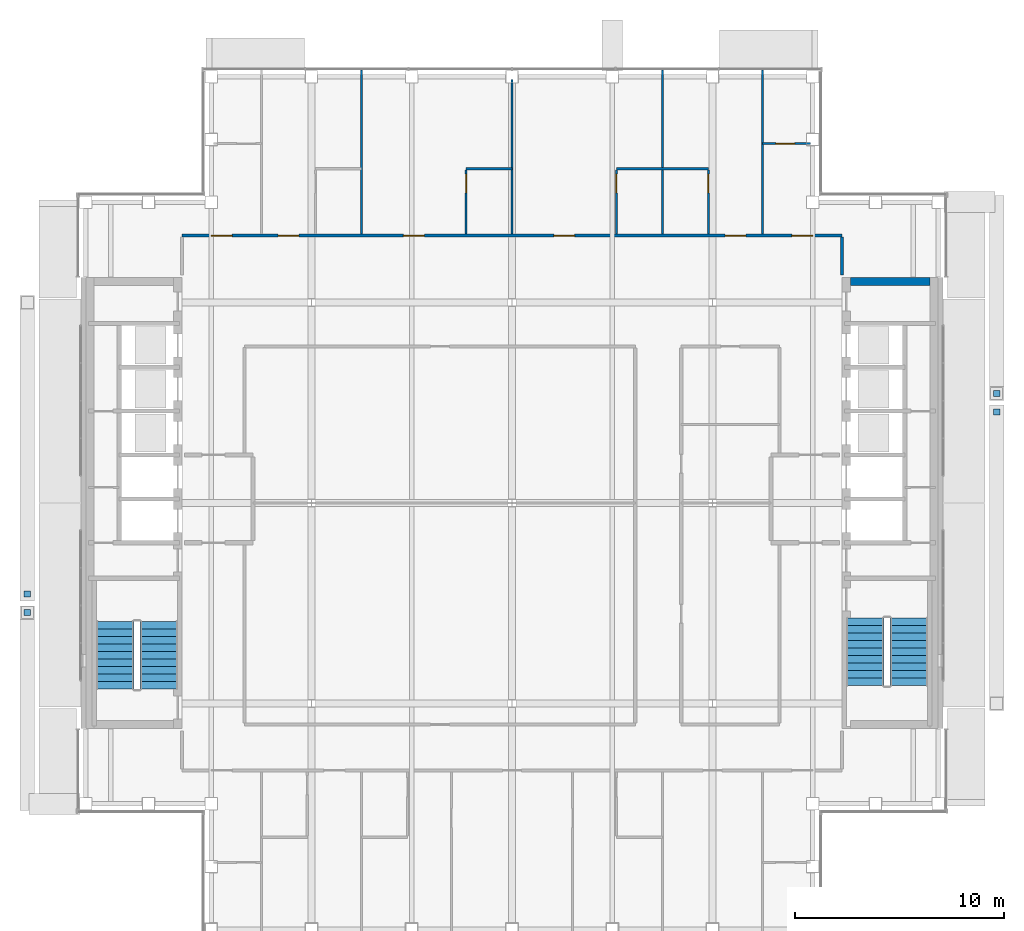
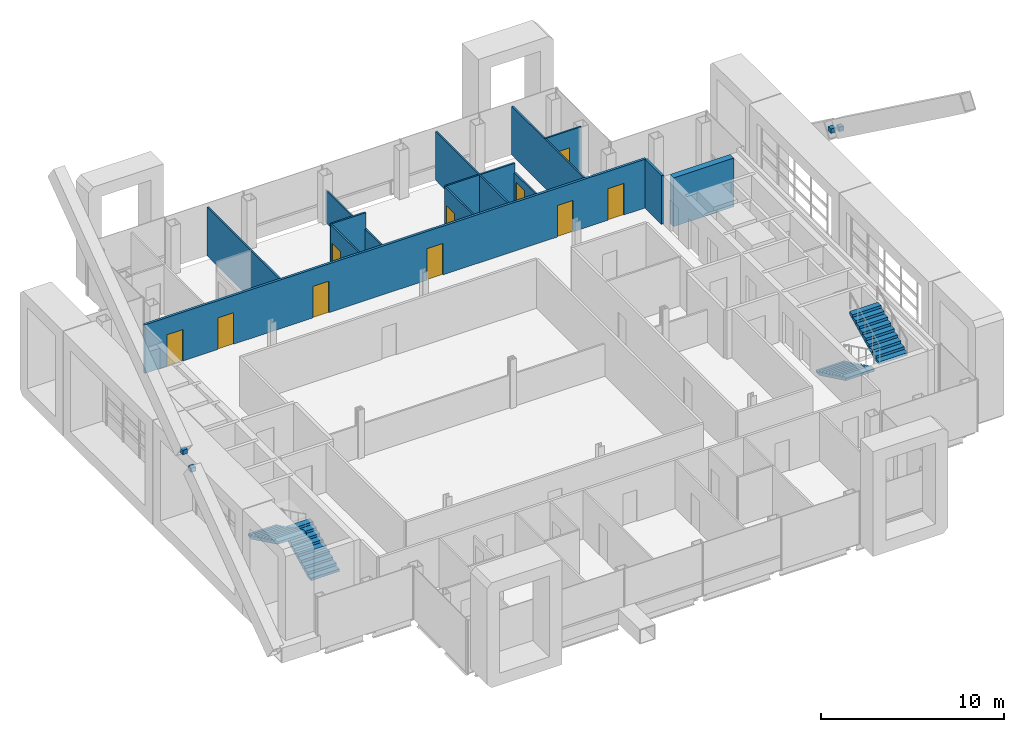
# One storey, part 15 of 23: 14 walls, 10 doors, 4 discrete accessories, 4 stair flights, 10 openings, 2 elements without a shape of their own.
"""IFC4 building model written with IfcOpenShell, lengths in metres."""

from ifc_helpers import new_model, si_unit, direction, frame, frame_2d, origin, origin_2d, place, context, subcontext, project, spatial, polyline, rectangle, outline, extrude, material, layer, layer_set, type_object, element, fill, aggregate, save


model = new_model("IFC4")

# Units and contexts
model_context = context("Model", 3, precision=1e-05, world=origin(), true_north=direction((0.0, 1.0)))
body_context = subcontext(model_context, "Body", "Model", "MODEL_VIEW")
ifc_project = project(units=[si_unit("LENGTHUNIT", "METRE"), si_unit("AREAUNIT", "SQUARE_METRE"), si_unit("VOLUMEUNIT", "CUBIC_METRE"), si_unit("PLANEANGLEUNIT", "RADIAN"), si_unit("MASSUNIT", "GRAM", prefix="KILO")], contexts=[model_context])

# Site, building, storey
site_placement = place(None, origin())
site = spatial("IfcSite", under=ifc_project, at=site_placement, CompositionType="ELEMENT")
building_placement = place(site_placement, origin())
building = spatial("IfcBuilding", under=site, at=building_placement, Name="Cobrizo Arcos Hotel Tower", CompositionType="ELEMENT")
storey_placement = place(building_placement, frame((0.0, 0.0, 262.0)))
storey = spatial("IfcBuildingStorey", under=building, at=storey_placement, Name="L69", CompositionType="ELEMENT", Elevation=262.0)

# Wall, openings, doors
ifc_material_1 = material(Name="Gypsum board partition")
ifc_layer_1 = layer(ifc_material_1, 0.14990234375)
ifc_layer_set_1 = layer_set([ifc_layer_1], Name="Corridor wall EI 60 150")
wall_type_1 = type_object("IfcWallType", Name="Corridor wall EI 60 150", PredefinedType="PARTITIONING", material=ifc_layer_set_1)
wall_1_placement = place(storey_placement, frame((-15.800048828125, 12.800048828125, 0.0), z_axis=(0.0, 0.0, 1.0), x_axis=(1.0, 0.0, 0.0)))
wall_1 = element("IfcWall", 1, at=wall_1_placement, inside=storey, type_object=wall_type_1, Name="Partition 040", PredefinedType="PARTITIONING", context=body_context, shape_type="SweptSolid", body=[
    extrude(rectangle(XDim=31.60009765625, YDim=0.14990234375, at=frame_2d((15.800048828125, 0.0))), origin(), (0.0, 0.0, 1.0), 3.25),
])
opening_1_placement = place(wall_1_placement, frame((4.60009765625, 0.0, 0.0)))
opening_1 = element("IfcOpeningElement", 2, at=opening_1_placement, cuts=wall_1, Name="Opening GD-01", PredefinedType="OPENING", context=body_context, shape_type="SweptSolid", body=[
    extrude(rectangle(XDim=1.0, YDim=2.10009765625, at=frame_2d((0.5, 1.050048828125))), frame((0.0, 0.0869140625, 0.0), z_axis=(0.0, -1.0, 0.0), x_axis=(1.0, 0.0, 0.0)), (0.0, 0.0, 1.0), 0.173828125),
])
opening_2_placement = place(wall_1_placement, frame((10.60009765625, 0.0, 0.0)))
opening_2 = element("IfcOpeningElement", 3, at=opening_2_placement, cuts=wall_1, Name="Opening GD-02", PredefinedType="OPENING", context=body_context, shape_type="SweptSolid", body=[
    extrude(rectangle(XDim=1.0, YDim=2.10009765625, at=frame_2d((0.5, 1.050048828125))), frame((0.0, 0.0869140625, 0.0), z_axis=(0.0, -1.0, 0.0), x_axis=(1.0, 0.0, 0.0)), (0.0, 0.0, 1.0), 0.173828125),
])
opening_3_placement = place(wall_1_placement, frame((17.800048828125, 0.0, 0.0)))
opening_3 = element("IfcOpeningElement", 4, at=opening_3_placement, cuts=wall_1, Name="Opening GD-03", PredefinedType="OPENING", context=body_context, shape_type="SweptSolid", body=[
    extrude(rectangle(XDim=1.0, YDim=2.10009765625, at=frame_2d((0.5, 1.050048828125))), frame((0.0, 0.0869140625, 0.0), z_axis=(0.0, -1.0, 0.0), x_axis=(1.0, 0.0, 0.0)), (0.0, 0.0, 1.0), 0.173828125),
])
opening_4_placement = place(wall_1_placement, frame((26.0, 0.0, 0.0)))
opening_4 = element("IfcOpeningElement", 5, at=opening_4_placement, cuts=wall_1, Name="Opening GD-04", PredefinedType="OPENING", context=body_context, shape_type="SweptSolid", body=[
    extrude(rectangle(XDim=1.0, YDim=2.10009765625, at=frame_2d((0.5, 1.050048828125))), frame((0.0, 0.0869140625, 0.0), z_axis=(0.0, -1.0, 0.0), x_axis=(1.0, 0.0, 0.0)), (0.0, 0.0, 1.0), 0.173828125),
])
opening_5_placement = place(wall_1_placement, frame((1.39990234375, 0.0, 0.0)))
opening_5 = element("IfcOpeningElement", 6, at=opening_5_placement, cuts=wall_1, Name="Opening GD-07", PredefinedType="OPENING", context=body_context, shape_type="SweptSolid", body=[
    extrude(rectangle(XDim=1.0, YDim=2.10009765625, at=frame_2d((0.5, 1.050048828125))), frame((0.0, 0.0869140625, 0.0), z_axis=(0.0, -1.0, 0.0), x_axis=(1.0, 0.0, 0.0)), (0.0, 0.0, 1.0), 0.173828125),
])
opening_6_placement = place(wall_1_placement, frame((29.199951171875, 0.0, 0.0)))
opening_6 = element("IfcOpeningElement", 7, at=opening_6_placement, cuts=wall_1, Name="Opening GD-09", PredefinedType="OPENING", context=body_context, shape_type="SweptSolid", body=[
    extrude(rectangle(XDim=1.0, YDim=2.10009765625, at=frame_2d((0.5, 1.050048828125))), frame((0.0, 0.0869140625, 0.0), z_axis=(0.0, -1.0, 0.0), x_axis=(1.0, 0.0, 0.0)), (0.0, 0.0, 1.0), 0.173828125),
])
ifc_material_2 = material(Name="Timber door leaf", Category="wood")
door_type_1 = type_object("IfcDoorType", Name="Guest room door FD30S 1000x2100", OperationType="SINGLE_SWING_LEFT", PredefinedType="DOOR", material=ifc_material_2)
door_1_placement = place(opening_1_placement, origin())
door_1 = element("IfcDoor", 8, at=door_1_placement, inside=storey, type_object=door_type_1, Name="Door GD-01", OperationType="SINGLE_SWING_RIGHT", OverallHeight=2.10009765625, OverallWidth=1.0, PredefinedType="DOOR", context=body_context, shape_type="SweptSolid", body=[
    extrude(rectangle(XDim=1.0, YDim=2.10009765625, at=frame_2d((0.5, 1.050048828125))), frame((0.0, 0.02490234375, 0.0), z_axis=(0.0, -1.0, 0.0), x_axis=(1.0, 0.0, 0.0)), (0.0, 0.0, 1.0), 0.050048828125),
])
fill(opening_1, door_1)
door_2_placement = place(opening_2_placement, origin())
door_2 = element("IfcDoor", 9, at=door_2_placement, inside=storey, type_object=door_type_1, Name="Door GD-02", OperationType="SINGLE_SWING_RIGHT", OverallHeight=2.10009765625, OverallWidth=1.0, PredefinedType="DOOR", context=body_context, shape_type="SweptSolid", body=[
    extrude(rectangle(XDim=1.0, YDim=2.10009765625, at=frame_2d((0.5, 1.050048828125))), frame((0.0, 0.02490234375, 0.0), z_axis=(0.0, -1.0, 0.0), x_axis=(1.0, 0.0, 0.0)), (0.0, 0.0, 1.0), 0.050048828125),
])
fill(opening_2, door_2)
door_3_placement = place(opening_3_placement, origin())
door_3 = element("IfcDoor", 10, at=door_3_placement, inside=storey, type_object=door_type_1, Name="Door GD-03", OperationType="SINGLE_SWING_LEFT", OverallHeight=2.10009765625, OverallWidth=1.0, PredefinedType="DOOR", context=body_context, shape_type="SweptSolid", body=[
    extrude(rectangle(XDim=1.0, YDim=2.10009765625, at=frame_2d((0.5, 1.050048828125))), frame((0.0, 0.02490234375, 0.0), z_axis=(0.0, -1.0, 0.0), x_axis=(1.0, 0.0, 0.0)), (0.0, 0.0, 1.0), 0.050048828125),
])
fill(opening_3, door_3)
door_4_placement = place(opening_4_placement, origin())
door_4 = element("IfcDoor", 11, at=door_4_placement, inside=storey, type_object=door_type_1, Name="Door GD-04", OperationType="SINGLE_SWING_LEFT", OverallHeight=2.10009765625, OverallWidth=1.0, PredefinedType="DOOR", context=body_context, shape_type="SweptSolid", body=[
    extrude(rectangle(XDim=1.0, YDim=2.10009765625, at=frame_2d((0.5, 1.050048828125))), frame((0.0, 0.02490234375, 0.0), z_axis=(0.0, -1.0, 0.0), x_axis=(1.0, 0.0, 0.0)), (0.0, 0.0, 1.0), 0.050048828125),
])
fill(opening_4, door_4)
door_5_placement = place(opening_5_placement, origin())
door_5 = element("IfcDoor", 12, at=door_5_placement, inside=storey, type_object=door_type_1, Name="Door GD-07", OperationType="SINGLE_SWING_RIGHT", OverallHeight=2.10009765625, OverallWidth=1.0, PredefinedType="DOOR", context=body_context, shape_type="SweptSolid", body=[
    extrude(rectangle(XDim=1.0, YDim=2.10009765625, at=frame_2d((0.5, 1.050048828125))), frame((0.0, 0.02490234375, 0.0), z_axis=(0.0, -1.0, 0.0), x_axis=(1.0, 0.0, 0.0)), (0.0, 0.0, 1.0), 0.050048828125),
])
fill(opening_5, door_5)
door_6_placement = place(opening_6_placement, origin())
door_6 = element("IfcDoor", 13, at=door_6_placement, inside=storey, type_object=door_type_1, Name="Door GD-09", OperationType="SINGLE_SWING_LEFT", OverallHeight=2.10009765625, OverallWidth=1.0, PredefinedType="DOOR", context=body_context, shape_type="SweptSolid", body=[
    extrude(rectangle(XDim=1.0, YDim=2.10009765625, at=frame_2d((0.5, 1.050048828125))), frame((0.0, 0.02490234375, 0.0), z_axis=(0.0, -1.0, 0.0), x_axis=(1.0, 0.0, 0.0)), (0.0, 0.0, 1.0), 0.050048828125),
])
fill(opening_6, door_6)

# Walls
wall_2_placement = place(storey_placement, frame((15.800048828125, 10.919921875, 0.0), z_axis=(0.0, 0.0, 1.0), x_axis=(0.0, 1.0, 0.0)))
element("IfcWall", 14, at=wall_2_placement, inside=storey, type_object=wall_type_1, Name="Partition 079", PredefinedType="PARTITIONING", context=body_context, shape_type="SweptSolid", body=[
    extrude(rectangle(XDim=1.80517578125, YDim=0.14990234375, at=frame_2d((0.902587890625, 0.0))), origin(), (0.0, 0.0, 1.0), 3.25),
])
ifc_layer_2 = layer(ifc_material_1, 0.10009765625)
ifc_layer_set_2 = layer_set([ifc_layer_2], Name="Partition EI 30 100")
wall_type_2 = type_object("IfcWallType", Name="Partition EI 30 100", PredefinedType="PARTITIONING", material=ifc_layer_set_2)
wall_3_placement = place(storey_placement, frame((-2.199951171875, 16.0, 0.0), z_axis=(0.0, 0.0, 1.0), x_axis=(1.0, 0.0, 0.0)))
element("IfcWall", 15, at=wall_3_placement, inside=storey, type_object=wall_type_2, Name="Partition 042", PredefinedType="PARTITIONING", context=body_context, shape_type="SweptSolid", body=[
    extrude(rectangle(XDim=2.199951171875, YDim=0.10009765625, at=frame_2d((1.10009765625, 0.0))), origin(), (0.0, 0.0, 1.0), 3.25),
])
wall_4_placement = place(storey_placement, frame((5.0, 16.0, 0.0), z_axis=(0.0, 0.0, 1.0), x_axis=(1.0, 0.0, 0.0)))
element("IfcWall", 16, at=wall_4_placement, inside=storey, type_object=wall_type_2, Name="Partition 043", PredefinedType="PARTITIONING", context=body_context, shape_type="SweptSolid", body=[
    extrude(rectangle(XDim=4.39990234375, YDim=0.10009765625, at=frame_2d((2.199951171875, 0.0))), origin(), (0.0, 0.0, 1.0), 3.25),
])

# Wall, opening, door
wall_5_placement = place(storey_placement, frame((12.0, 17.199951171875, 0.0), z_axis=(0.0, 0.0, 1.0), x_axis=(1.0, 0.0, 0.0)))
wall_5 = element("IfcWall", 17, at=wall_5_placement, inside=storey, type_object=wall_type_2, Name="Partition 045", PredefinedType="PARTITIONING", context=body_context, shape_type="SweptSolid", body=[
    extrude(rectangle(XDim=2.280029296875, YDim=0.10009765625, at=frame_2d((1.14013671875, 0.0))), origin(), (0.0, 0.0, 1.0), 3.25),
])
opening_7_placement = place(wall_5_placement, frame((0.6298828125, 0.0, 0.0)))
opening_7 = element("IfcOpeningElement", 18, at=opening_7_placement, cuts=wall_5, Name="Opening ED-11", PredefinedType="OPENING", context=body_context, shape_type="SweptSolid", body=[
    extrude(rectangle(XDim=0.89990234375, YDim=2.10009765625, at=frame_2d((0.449951171875, 1.050048828125))), frame((0.0, 0.06201171875, 0.0), z_axis=(0.0, -1.0, 0.0), x_axis=(1.0, 0.0, 0.0)), (0.0, 0.0, 1.0), 0.1240234375),
])
door_type_2 = type_object("IfcDoorType", Name="En-suite door 900x2100", OperationType="SINGLE_SWING_LEFT", PredefinedType="DOOR", material=ifc_material_2)
door_7_placement = place(opening_7_placement, origin())
door_7 = element("IfcDoor", 19, at=door_7_placement, inside=storey, type_object=door_type_2, Name="Door ED-11", OperationType="SINGLE_SWING_LEFT", OverallHeight=2.10009765625, OverallWidth=0.89990234375, PredefinedType="DOOR", context=body_context, shape_type="SweptSolid", body=[
    extrude(rectangle(XDim=0.89990234375, YDim=2.10009765625, at=frame_2d((0.449951171875, 1.050048828125))), frame((0.0, 0.02490234375, 0.0), z_axis=(0.0, -1.0, 0.0), x_axis=(1.0, 0.0, 0.0)), (0.0, 0.0, 1.0), 0.050048828125),
])
fill(opening_7, door_7)

# Wall
wall_6_placement = place(storey_placement, frame((-7.199951171875, 12.875, 0.0), z_axis=(0.0, 0.0, 1.0), x_axis=(0.0, 1.0, 0.0)))
element("IfcWall", 20, at=wall_6_placement, inside=storey, type_object=wall_type_2, Name="Partition 059", PredefinedType="PARTITIONING", context=body_context, shape_type="SweptSolid", body=[
    extrude(rectangle(XDim=7.85498046875, YDim=0.10009765625, at=frame_2d((3.927490234375, 0.0))), origin(), (0.0, 0.0, 1.0), 3.25),
])

# Wall, opening, door
wall_7_placement = place(storey_placement, frame((-2.199951171875, 12.875, 0.0), z_axis=(0.0, 0.0, 1.0), x_axis=(0.0, 1.0, 0.0)))
wall_7 = element("IfcWall", 21, at=wall_7_placement, inside=storey, type_object=wall_type_2, Name="Partition 062", PredefinedType="PARTITIONING", context=body_context, shape_type="SweptSolid", body=[
    extrude(rectangle(XDim=3.074951171875, YDim=0.10009765625, at=frame_2d((1.53759765625, 0.0))), origin(), (0.0, 0.0, 1.0), 3.25),
])
opening_8_placement = place(wall_7_placement, frame((1.970947265625, 0.0, 0.0)))
opening_8 = element("IfcOpeningElement", 22, at=opening_8_placement, cuts=wall_7, Name="Opening ED-02", PredefinedType="OPENING", context=body_context, shape_type="SweptSolid", body=[
    extrude(rectangle(XDim=0.89990234375, YDim=2.10009765625, at=frame_2d((0.449951171875, 1.050048828125))), frame((0.0, 0.06201171875, 0.0), z_axis=(0.0, -1.0, 0.0), x_axis=(1.0, 0.0, 0.0)), (0.0, 0.0, 1.0), 0.1240234375),
])
door_8_placement = place(opening_8_placement, origin())
door_8 = element("IfcDoor", 23, at=door_8_placement, inside=storey, type_object=door_type_2, Name="Door ED-02", OperationType="SINGLE_SWING_RIGHT", OverallHeight=2.10009765625, OverallWidth=0.89990234375, PredefinedType="DOOR", context=body_context, shape_type="SweptSolid", body=[
    extrude(rectangle(XDim=0.89990234375, YDim=2.10009765625, at=frame_2d((0.449951171875, 1.050048828125))), frame((0.0, 0.02490234375, 0.0), z_axis=(0.0, -1.0, 0.0), x_axis=(1.0, 0.0, 0.0)), (0.0, 0.0, 1.0), 0.050048828125),
])
fill(opening_8, door_8)

# Wall
wall_8_placement = place(storey_placement, frame((0.0, 12.875, 0.0), z_axis=(0.0, 0.0, 1.0), x_axis=(0.0, 1.0, 0.0)))
element("IfcWall", 24, at=wall_8_placement, inside=storey, type_object=wall_type_2, Name="Partition 063", PredefinedType="PARTITIONING", context=body_context, shape_type="SweptSolid", body=[
    extrude(rectangle(XDim=7.405029296875, YDim=0.10009765625, at=frame_2d((3.70263671875, 0.0))), origin(), (0.0, 0.0, 1.0), 2.159912109375),
])

# Wall, opening, door
wall_9_placement = place(storey_placement, frame((5.0, 12.875, 0.0), z_axis=(0.0, 0.0, 1.0), x_axis=(0.0, 1.0, 0.0)))
wall_9 = element("IfcWall", 25, at=wall_9_placement, inside=storey, type_object=wall_type_2, Name="Partition 066", PredefinedType="PARTITIONING", context=body_context, shape_type="SweptSolid", body=[
    extrude(rectangle(XDim=3.074951171875, YDim=0.10009765625, at=frame_2d((1.53759765625, 0.0))), origin(), (0.0, 0.0, 1.0), 3.25),
])
opening_9_placement = place(wall_9_placement, frame((1.970947265625, 0.0, 0.0)))
opening_9 = element("IfcOpeningElement", 26, at=opening_9_placement, cuts=wall_9, Name="Opening ED-03", PredefinedType="OPENING", context=body_context, shape_type="SweptSolid", body=[
    extrude(rectangle(XDim=0.89990234375, YDim=2.10009765625, at=frame_2d((0.449951171875, 1.050048828125))), frame((0.0, 0.06201171875, 0.0), z_axis=(0.0, -1.0, 0.0), x_axis=(1.0, 0.0, 0.0)), (0.0, 0.0, 1.0), 0.1240234375),
])
door_9_placement = place(opening_9_placement, origin())
door_9 = element("IfcDoor", 27, at=door_9_placement, inside=storey, type_object=door_type_2, Name="Door ED-03", OperationType="SINGLE_SWING_LEFT", OverallHeight=2.10009765625, OverallWidth=0.89990234375, PredefinedType="DOOR", context=body_context, shape_type="SweptSolid", body=[
    extrude(rectangle(XDim=0.89990234375, YDim=2.10009765625, at=frame_2d((0.449951171875, 1.050048828125))), frame((0.0, 0.02490234375, 0.0), z_axis=(0.0, -1.0, 0.0), x_axis=(1.0, 0.0, 0.0)), (0.0, 0.0, 1.0), 0.050048828125),
])
fill(opening_9, door_9)

# Walls
wall_10_placement = place(storey_placement, frame((7.199951171875, 12.875, 0.0), z_axis=(0.0, 0.0, 1.0), x_axis=(0.0, 1.0, 0.0)))
element("IfcWall", 28, at=wall_10_placement, inside=storey, type_object=wall_type_2, Name="Partition 069", PredefinedType="PARTITIONING", context=body_context, shape_type="SweptSolid", body=[
    extrude(rectangle(XDim=3.074951171875, YDim=0.10009765625, at=frame_2d((1.53759765625, 0.0))), origin(), (0.0, 0.0, 1.0), 3.25),
])
wall_11_placement = place(storey_placement, frame((7.199951171875, 16.050048828125, 0.0), z_axis=(0.0, 0.0, 1.0), x_axis=(0.0, 1.0, 0.0)))
element("IfcWall", 29, at=wall_11_placement, inside=storey, type_object=wall_type_2, Name="Partition 070", PredefinedType="PARTITIONING", context=body_context, shape_type="SweptSolid", body=[
    extrude(rectangle(XDim=4.679931640625, YDim=0.10009765625, at=frame_2d((2.33984375, 0.0))), origin(), (0.0, 0.0, 1.0), 3.25),
])

# Wall, opening, door
wall_12_placement = place(storey_placement, frame((9.39990234375, 12.875, 0.0), z_axis=(0.0, 0.0, 1.0), x_axis=(0.0, 1.0, 0.0)))
wall_12 = element("IfcWall", 30, at=wall_12_placement, inside=storey, type_object=wall_type_2, Name="Partition 072", PredefinedType="PARTITIONING", context=body_context, shape_type="SweptSolid", body=[
    extrude(rectangle(XDim=3.074951171875, YDim=0.10009765625, at=frame_2d((1.53759765625, 0.0))), origin(), (0.0, 0.0, 1.0), 2.6279296875),
])
opening_10_placement = place(wall_12_placement, frame((1.970947265625, 0.0, 0.0)))
opening_10 = element("IfcOpeningElement", 31, at=opening_10_placement, cuts=wall_12, Name="Opening ED-04", PredefinedType="OPENING", context=body_context, shape_type="SweptSolid", body=[
    extrude(rectangle(XDim=0.89990234375, YDim=2.10009765625, at=frame_2d((0.449951171875, 1.050048828125))), frame((0.0, 0.06201171875, 0.0), z_axis=(0.0, -1.0, 0.0), x_axis=(1.0, 0.0, 0.0)), (0.0, 0.0, 1.0), 0.1240234375),
])
door_10_placement = place(opening_10_placement, origin())
door_10 = element("IfcDoor", 32, at=door_10_placement, inside=storey, type_object=door_type_2, Name="Door ED-04", OperationType="SINGLE_SWING_RIGHT", OverallHeight=2.10009765625, OverallWidth=0.89990234375, PredefinedType="DOOR", context=body_context, shape_type="SweptSolid", body=[
    extrude(rectangle(XDim=0.89990234375, YDim=2.10009765625, at=frame_2d((0.449951171875, 1.050048828125))), frame((0.0, 0.02490234375, 0.0), z_axis=(0.0, -1.0, 0.0), x_axis=(1.0, 0.0, 0.0)), (0.0, 0.0, 1.0), 0.050048828125),
])
fill(opening_10, door_10)

# Walls
wall_13_placement = place(storey_placement, frame((12.0, 12.875, 0.0), z_axis=(0.0, 0.0, 1.0), x_axis=(0.0, 1.0, 0.0)))
element("IfcWall", 33, at=wall_13_placement, inside=storey, type_object=wall_type_2, Name="Partition 074", PredefinedType="PARTITIONING", context=body_context, shape_type="SweptSolid", body=[
    extrude(rectangle(XDim=7.85498046875, YDim=0.10009765625, at=frame_2d((3.927490234375, 0.0))), origin(), (0.0, 0.0, 1.0), 3.25),
])
ifc_material_3 = material(Name="Concrete f'c 40 MPa", Category="concrete")
ifc_layer_3 = layer(ifc_material_3, 0.39990234375)
ifc_layer_set_3 = layer_set([ifc_layer_3], Name="RC core wall 400 f'c 40")
wall_type_3 = type_object("IfcWallType", Name="RC core wall 400 f'c 40", PredefinedType="SHEAR", material=ifc_layer_set_3)
wall_14_placement = place(storey_placement, frame((16.199951171875, 10.60009765625, 0.0), z_axis=(0.0, 0.0, 1.0), x_axis=(1.0, 0.0, 0.0)))
element("IfcWall", 34, at=wall_14_placement, inside=storey, type_object=wall_type_3, Name="Core wall CW4, east core, north end, L69", PredefinedType="SHEAR", context=body_context, shape_type="SweptSolid", body=[
    extrude(rectangle(XDim=3.800048828125, YDim=0.39990234375, at=frame_2d((1.89990234375, 0.0))), origin(), (0.0, 0.0, 1.0), 3.25),
])

# Stair, stair flights
stair_type = type_object("IfcStairType", Name="Exit stair", PredefinedType="HALF_TURN_STAIR", material=ifc_material_3)
stair_1_placement = place(storey_placement, origin())
stair_1 = element("IfcStair", 35, at=stair_1_placement, inside=storey, type_object=stair_type, Name="L69 Exit stair ST-W", PredefinedType="HALF_TURN_STAIR")
stair_flight_type = type_object("IfcStairFlightType", Name="Exit stair flight", PredefinedType="STRAIGHT", material=ifc_material_3)
stair_flight_1_placement = place(storey_placement, frame((-16.89990234375, -8.89990234375, 0.0), z_axis=(0.0, 0.0, 1.0), x_axis=(0.0, 1.0, 0.0)))
stair_flight_1 = element("IfcStairFlight", 36, at=stair_flight_1_placement, type_object=stair_flight_type, Name="ST-W flight 1", NumberOfRisers=10, NumberOfTreads=9, PredefinedType="STRAIGHT", RiserHeight=0.175, TreadLength=0.36, context=body_context, shape_type="SweptSolid", body=[
    extrude(outline(polyline([(0.0, 0.0), (0.0, 0.175048828125), (0.360107421875, 0.175048828125), (0.360107421875, 0.35009765625), (0.719970703125, 0.35009765625), (0.719970703125, 0.52490234375), (1.080078125, 0.52490234375), (1.080078125, 0.699951171875), (1.43994140625, 0.699951171875), (1.43994140625, 0.875), (1.800048828125, 0.875), (1.800048828125, 1.050048828125), (2.159912109375, 1.050048828125), (2.159912109375, 1.22509765625), (2.52001953125, 1.22509765625), (2.52001953125, 1.39990234375), (2.8798828125, 1.39990234375), (2.8798828125, 1.574951171875), (3.239990234375, 1.574951171875), (3.239990234375, 1.75), (3.239990234375, 1.408203125), (0.3427734375, 0.0), (0.0, 0.0)])), frame((0.0, 0.89990234375, 0.0), z_axis=(0.0, -1.0, 0.0), x_axis=(1.0, 0.0, 0.0)), (0.0, 0.0, 1.0), 1.800048828125),
])
stair_flight_2_placement = place(storey_placement, frame((-19.0, -5.659912109375, 1.75), z_axis=(0.0, 0.0, 1.0), x_axis=(0.0, -1.0, 0.0)))
stair_flight_2 = element("IfcStairFlight", 37, at=stair_flight_2_placement, type_object=stair_flight_type, Name="ST-W flight 2", NumberOfRisers=10, NumberOfTreads=9, PredefinedType="STRAIGHT", RiserHeight=0.175, TreadLength=0.36, context=body_context, shape_type="SweptSolid", body=[
    extrude(outline(polyline([(0.0, 0.0), (0.0, 0.175048828125), (0.360107421875, 0.175048828125), (0.360107421875, 0.35009765625), (0.719970703125, 0.35009765625), (0.719970703125, 0.52490234375), (1.080078125, 0.52490234375), (1.080078125, 0.699951171875), (1.43994140625, 0.699951171875), (1.43994140625, 0.875), (1.800048828125, 0.875), (1.800048828125, 1.050048828125), (2.159912109375, 1.050048828125), (2.159912109375, 1.22509765625), (2.52001953125, 1.22509765625), (2.52001953125, 1.39990234375), (2.8798828125, 1.39990234375), (2.8798828125, 1.574951171875), (3.239990234375, 1.574951171875), (3.239990234375, 1.75), (3.239990234375, 1.408203125), (0.3427734375, 0.0), (0.0, 0.0)])), frame((0.0, 0.89990234375, 0.0), z_axis=(0.0, -1.0, 0.0), x_axis=(1.0, 0.0, 0.0)), (0.0, 0.0, 1.0), 1.800048828125),
])
aggregate(stair_1, [stair_flight_1, stair_flight_2])

stair_2_placement = place(storey_placement, origin())
stair_2 = element("IfcStair", 38, at=stair_2_placement, inside=storey, type_object=stair_type, Name="L69 Exit stair ST-E", PredefinedType="HALF_TURN_STAIR")
stair_flight_3_placement = place(storey_placement, frame((16.89990234375, -5.5, 0.0), z_axis=(0.0, 0.0, 1.0), x_axis=(0.0, -1.0, 0.0)))
stair_flight_3 = element("IfcStairFlight", 39, at=stair_flight_3_placement, type_object=stair_flight_type, Name="ST-E flight 1", NumberOfRisers=10, NumberOfTreads=9, PredefinedType="STRAIGHT", RiserHeight=0.175, TreadLength=0.36, context=body_context, shape_type="SweptSolid", body=[
    extrude(outline(polyline([(0.0, 0.0), (0.0, 0.175048828125), (0.360107421875, 0.175048828125), (0.360107421875, 0.35009765625), (0.719970703125, 0.35009765625), (0.719970703125, 0.52490234375), (1.080078125, 0.52490234375), (1.080078125, 0.699951171875), (1.43994140625, 0.699951171875), (1.43994140625, 0.875), (1.800048828125, 0.875), (1.800048828125, 1.050048828125), (2.159912109375, 1.050048828125), (2.159912109375, 1.22509765625), (2.52001953125, 1.22509765625), (2.52001953125, 1.39990234375), (2.8798828125, 1.39990234375), (2.8798828125, 1.574951171875), (3.239990234375, 1.574951171875), (3.239990234375, 1.75), (3.239990234375, 1.408203125), (0.3427734375, 0.0), (0.0, 0.0)])), frame((0.0, 0.89990234375, 0.0), z_axis=(0.0, -1.0, 0.0), x_axis=(1.0, 0.0, 0.0)), (0.0, 0.0, 1.0), 1.800048828125),
])
stair_flight_4_placement = place(storey_placement, frame((19.0, -8.739990234375, 1.75), z_axis=(0.0, 0.0, 1.0), x_axis=(0.0, 1.0, 0.0)))
stair_flight_4 = element("IfcStairFlight", 40, at=stair_flight_4_placement, type_object=stair_flight_type, Name="ST-E flight 2", NumberOfRisers=10, NumberOfTreads=9, PredefinedType="STRAIGHT", RiserHeight=0.175, TreadLength=0.36, context=body_context, shape_type="SweptSolid", body=[
    extrude(outline(polyline([(0.0, 0.0), (0.0, 0.175048828125), (0.360107421875, 0.175048828125), (0.360107421875, 0.35009765625), (0.719970703125, 0.35009765625), (0.719970703125, 0.52490234375), (1.080078125, 0.52490234375), (1.080078125, 0.699951171875), (1.43994140625, 0.699951171875), (1.43994140625, 0.875), (1.800048828125, 0.875), (1.800048828125, 1.050048828125), (2.159912109375, 1.050048828125), (2.159912109375, 1.22509765625), (2.52001953125, 1.22509765625), (2.52001953125, 1.39990234375), (2.8798828125, 1.39990234375), (2.8798828125, 1.574951171875), (3.239990234375, 1.574951171875), (3.239990234375, 1.75), (3.239990234375, 1.408203125), (0.3427734375, 0.0), (0.0, 0.0)])), frame((0.0, 0.89990234375, 0.0), z_axis=(0.0, -1.0, 0.0), x_axis=(1.0, 0.0, 0.0)), (0.0, 0.0, 1.0), 1.800048828125),
])
aggregate(stair_2, [stair_flight_3, stair_flight_4])

# Discrete accessories
ifc_material_4 = material(Name="Steel ASTM A572 Grade 50", Category="steel")
discrete_accessory_type = type_object("IfcDiscreteAccessoryType", Name="GP-5 brace end plate 300x300x300", PredefinedType="BRACKET", material=ifc_material_4)
for number, where, z_axis, x_axis, name in (
    (41, (23.199951171875, 5.242431640625, 7.02734375), (0.0, 0.0, 1.0), (1.0, 0.0, 0.0), "Brace end plate"),
    (42, (23.199951171875, 4.357421875, 7.6728515625), (0.0, 0.0, 1.0), (1.0, 0.0, 0.0), "Brace end plate"),
    (43, (-23.199951171875, -5.242431640625, 7.02734375), (0.0, 0.0, 1.0), (1.0, 0.0, 0.0), "Brace end plate"),
    (44, (-23.199951171875, -4.357421875, 7.6728515625), (0.0, 0.0, 1.0), (1.0, 0.0, 0.0), "Brace end plate"),
):
    element("IfcDiscreteAccessory", number, at=place(storey_placement, frame(where, z_axis=z_axis, x_axis=x_axis)), inside=storey, type_object=discrete_accessory_type, Name=name, PredefinedType="BRACKET", context=body_context, shape_type="SweptSolid", body=[
        extrude(rectangle(XDim=0.300048828125, YDim=0.300048828125, at=origin_2d()), origin(), (0.0, 0.0, 1.0), 0.300048828125),
    ])

save(model, "model.ifc")
